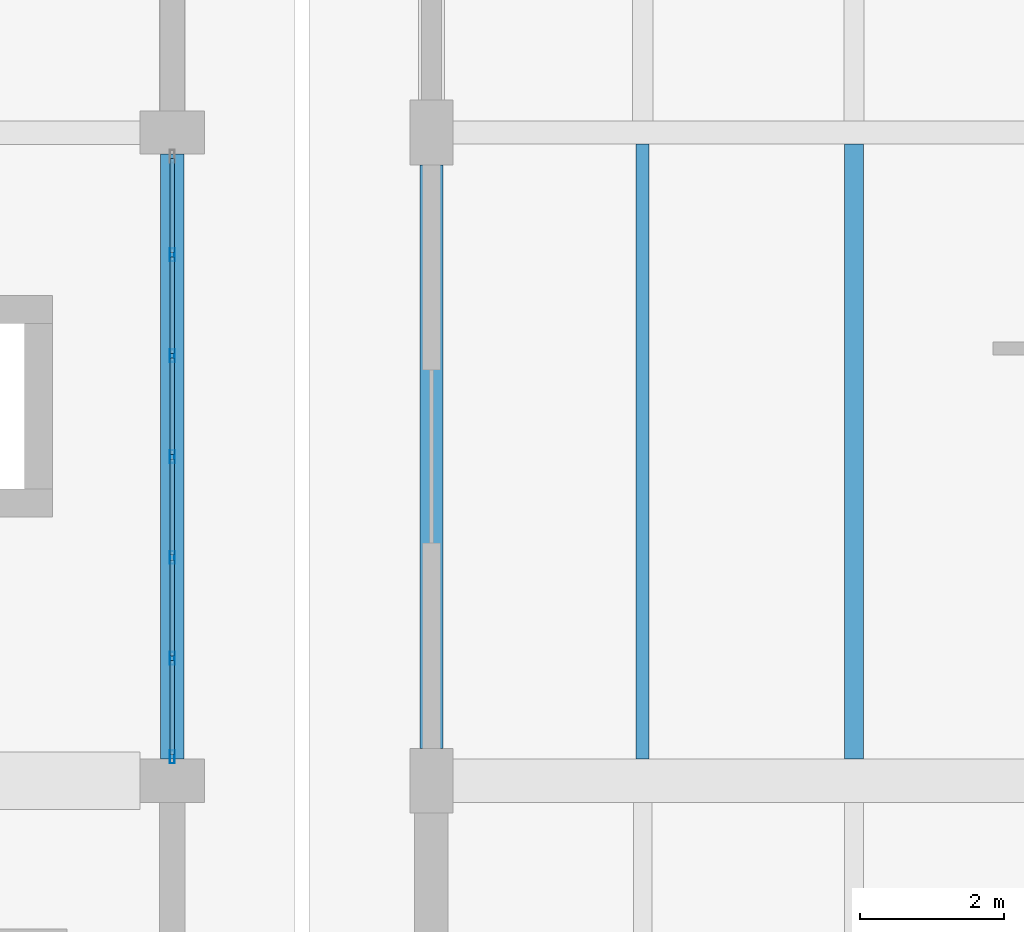
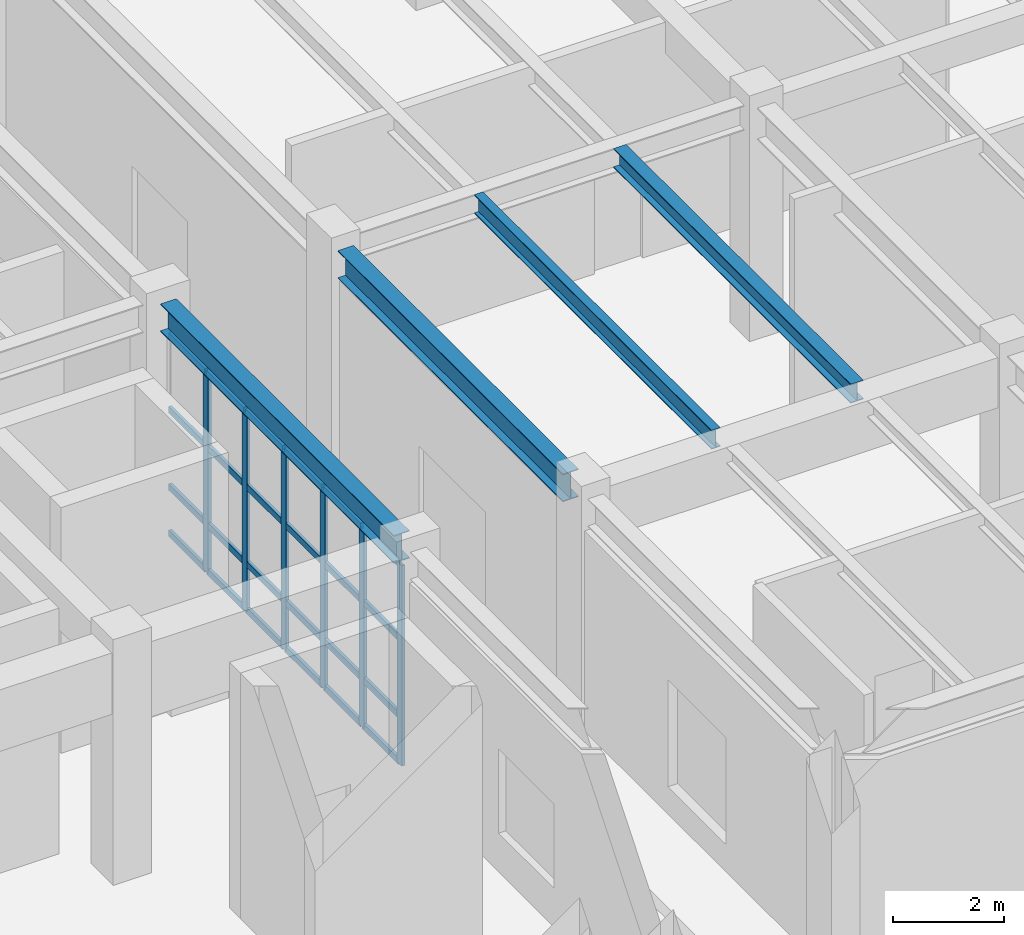
# One storey, part 24 of 91: 30 members, 4 beams, 1 element without a shape of its own.
"""IFC4 building model written with IfcOpenShell, lengths in metres."""

from ifc_helpers import new_model, si_unit, direction, frame, origin, origin_2d, place, context, subcontext, project, spatial, hollow_rectangle, i_section, extrude, material, layer, layer_set, material_profile, profile_set, type_object, element, aggregate, save


model = new_model("IFC4")

# Units and contexts
model_context = context("Model", 3, precision=1e-05, world=origin(), true_north=direction((0.0, 1.0)))
body_context = subcontext(model_context, "Body", "Model", "MODEL_VIEW")
ifc_project = project(units=[si_unit("LENGTHUNIT", "METRE"), si_unit("AREAUNIT", "SQUARE_METRE"), si_unit("VOLUMEUNIT", "CUBIC_METRE"), si_unit("PLANEANGLEUNIT", "RADIAN"), si_unit("MASSUNIT", "GRAM", prefix="KILO")], contexts=[model_context])

# Site, building, storey
site_placement = place(None, origin())
site = spatial("IfcSite", under=ifc_project, at=site_placement, CompositionType="ELEMENT")
building_placement = place(site_placement, origin())
building = spatial("IfcBuilding", under=site, at=building_placement, Name="Vaelkrest Opera House", CompositionType="ELEMENT")
storey_placement = place(building_placement, origin())
storey = spatial("IfcBuildingStorey", under=building, at=storey_placement, Name="L00", CompositionType="ELEMENT", Elevation=0.0)

# Curtain wall, members
ifc_material_1 = material(Name="Dark bronze anodized aluminium", Category="aluminium")
ifc_layer = layer(ifc_material_1, 0.179931640625)
ifc_layer_set = layer_set([ifc_layer], Name="Dark bronze anodized aluminium")
curtain_wall_type = type_object("IfcCurtainWallType", Name="CW01", PredefinedType="NOTDEFINED", material=ifc_layer_set)
curtain_wall_placement = place(storey_placement, origin())
curtain_wall = element("IfcCurtainWall", 1, at=curtain_wall_placement, inside=storey, type_object=curtain_wall_type, Name="Curtain wall CW-L00-018", PredefinedType="NOTDEFINED")
ifc_material_profile_1 = material_profile(ifc_material_1, hollow_rectangle(XDim=0.06494140625, YDim=0.179931640625, WallThickness=0.00390625, at=origin_2d()), Name="CWM65X180")
ifc_profile_set_1 = profile_set([ifc_material_profile_1], Name="Dark bronze anodized aluminium")
member_type_1 = type_object("IfcMemberType", Name="CWM01", PredefinedType="MULLION", material=ifc_profile_set_1)
member_1_placement = place(storey_placement, frame((30.0, -21.498779296875, 0.0), z_axis=(0.0, 0.0, 1.0), x_axis=(1.0, 0.0, 0.0)))
member_1 = element("IfcMember", 2, at=member_1_placement, type_object=member_type_1, Name="CW01 mullion 2", PredefinedType="MULLION", context=body_context, shape_type="SweptSolid", body=[
    extrude(hollow_rectangle(XDim=0.06494140625, YDim=0.179931640625, WallThickness=0.00390625, at=origin_2d()), origin(), (0.0, 0.0, 1.0), 4.404052734375),
])
member_2_placement = place(storey_placement, frame((30.0, -22.8994140625, 0.0), z_axis=(0.0, 0.0, 1.0), x_axis=(1.0, 0.0, 0.0)))
member_2 = element("IfcMember", 3, at=member_2_placement, type_object=member_type_1, Name="CW01 mullion 3", PredefinedType="MULLION", context=body_context, shape_type="SweptSolid", body=[
    extrude(hollow_rectangle(XDim=0.06494140625, YDim=0.179931640625, WallThickness=0.00390625, at=origin_2d()), origin(), (0.0, 0.0, 1.0), 4.404052734375),
])
member_3_placement = place(storey_placement, frame((30.0, -24.300048828125, 0.0), z_axis=(0.0, 0.0, 1.0), x_axis=(1.0, 0.0, 0.0)))
member_3 = element("IfcMember", 4, at=member_3_placement, type_object=member_type_1, Name="CW01 mullion 4", PredefinedType="MULLION", context=body_context, shape_type="SweptSolid", body=[
    extrude(hollow_rectangle(XDim=0.06494140625, YDim=0.179931640625, WallThickness=0.00390625, at=origin_2d()), origin(), (0.0, 0.0, 1.0), 4.404052734375),
])
member_4_placement = place(storey_placement, frame((30.0, -25.70068359375, 0.0), z_axis=(0.0, 0.0, 1.0), x_axis=(1.0, 0.0, 0.0)))
member_4 = element("IfcMember", 5, at=member_4_placement, type_object=member_type_1, Name="CW01 mullion 5", PredefinedType="MULLION", context=body_context, shape_type="SweptSolid", body=[
    extrude(hollow_rectangle(XDim=0.06494140625, YDim=0.179931640625, WallThickness=0.00390625, at=origin_2d()), origin(), (0.0, 0.0, 1.0), 4.404052734375),
])
member_5_placement = place(storey_placement, frame((30.0, -27.101318359375, 0.0), z_axis=(0.0, 0.0, 1.0), x_axis=(1.0, 0.0, 0.0)))
member_5 = element("IfcMember", 6, at=member_5_placement, type_object=member_type_1, Name="CW01 mullion 6", PredefinedType="MULLION", context=body_context, shape_type="SweptSolid", body=[
    extrude(hollow_rectangle(XDim=0.06494140625, YDim=0.179931640625, WallThickness=0.00390625, at=origin_2d()), origin(), (0.0, 0.0, 1.0), 4.404052734375),
])
member_6_placement = place(storey_placement, frame((30.0, -28.469482421875, 0.0), z_axis=(0.0, 0.0, 1.0), x_axis=(1.0, 0.0, 0.0)))
member_6 = element("IfcMember", 7, at=member_6_placement, type_object=member_type_1, Name="CW01 mullion 7", PredefinedType="MULLION", context=body_context, shape_type="SweptSolid", body=[
    extrude(hollow_rectangle(XDim=0.06494140625, YDim=0.179931640625, WallThickness=0.00390625, at=origin_2d()), origin(), (0.0, 0.0, 1.0), 4.404052734375),
])
ifc_material_profile_2 = material_profile(ifc_material_1, hollow_rectangle(XDim=0.06494140625, YDim=0.139892578125, WallThickness=0.00390625, at=origin_2d()), Name="CWT65X140")
ifc_profile_set_2 = profile_set([ifc_material_profile_2], Name="Dark bronze anodized aluminium")
member_type_2 = type_object("IfcMemberType", Name="CWT01", PredefinedType="USERDEFINED", material=ifc_profile_set_2)
member_7_placement = place(storey_placement, frame((30.0, -20.1630859375, 0.032470703125), z_axis=(0.0, -1.0, 0.0), x_axis=(1.0, 0.0, 0.0)))
member_7 = element("IfcMember", 8, at=member_7_placement, type_object=member_type_2, Name="CW01 transom 1.1", ObjectType="TRANSOM", PredefinedType="USERDEFINED", context=body_context, shape_type="SweptSolid", body=[
    extrude(hollow_rectangle(XDim=0.06494140625, YDim=0.139892578125, WallThickness=0.00390625, at=origin_2d()), origin(), (0.0, 0.0, 1.0), 1.302978515625),
])
member_8_placement = place(storey_placement, frame((30.0, -20.1630859375, 1.050048828125), z_axis=(0.0, -1.0, 0.0), x_axis=(1.0, 0.0, 0.0)))
member_8 = element("IfcMember", 9, at=member_8_placement, type_object=member_type_2, Name="CW01 transom 1.2", ObjectType="TRANSOM", PredefinedType="USERDEFINED", context=body_context, shape_type="SweptSolid", body=[
    extrude(hollow_rectangle(XDim=0.06494140625, YDim=0.139892578125, WallThickness=0.00390625, at=origin_2d()), origin(), (0.0, 0.0, 1.0), 1.302978515625),
])
member_9_placement = place(storey_placement, frame((30.0, -20.1630859375, 2.75), z_axis=(0.0, -1.0, 0.0), x_axis=(1.0, 0.0, 0.0)))
member_9 = element("IfcMember", 10, at=member_9_placement, type_object=member_type_2, Name="CW01 transom 1.3", ObjectType="TRANSOM", PredefinedType="USERDEFINED", context=body_context, shape_type="SweptSolid", body=[
    extrude(hollow_rectangle(XDim=0.06494140625, YDim=0.139892578125, WallThickness=0.00390625, at=origin_2d()), origin(), (0.0, 0.0, 1.0), 1.302978515625),
])
member_10_placement = place(storey_placement, frame((30.0, -20.1630859375, 4.37158203125), z_axis=(0.0, -1.0, 0.0), x_axis=(1.0, 0.0, 0.0)))
member_10 = element("IfcMember", 11, at=member_10_placement, type_object=member_type_2, Name="CW01 transom 1.4", ObjectType="TRANSOM", PredefinedType="USERDEFINED", context=body_context, shape_type="SweptSolid", body=[
    extrude(hollow_rectangle(XDim=0.06494140625, YDim=0.139892578125, WallThickness=0.00390625, at=origin_2d()), origin(), (0.0, 0.0, 1.0), 1.302978515625),
])
member_11_placement = place(storey_placement, frame((30.0, -21.53125, 0.032470703125), z_axis=(0.0, -1.0, 0.0), x_axis=(1.0, 0.0, 0.0)))
member_11 = element("IfcMember", 12, at=member_11_placement, type_object=member_type_2, Name="CW01 transom 2.1", ObjectType="TRANSOM", PredefinedType="USERDEFINED", context=body_context, shape_type="SweptSolid", body=[
    extrude(hollow_rectangle(XDim=0.06494140625, YDim=0.139892578125, WallThickness=0.00390625, at=origin_2d()), origin(), (0.0, 0.0, 1.0), 1.335693359375),
])
member_12_placement = place(storey_placement, frame((30.0, -21.53125, 1.050048828125), z_axis=(0.0, -1.0, 0.0), x_axis=(1.0, 0.0, 0.0)))
member_12 = element("IfcMember", 13, at=member_12_placement, type_object=member_type_2, Name="CW01 transom 2.2", ObjectType="TRANSOM", PredefinedType="USERDEFINED", context=body_context, shape_type="SweptSolid", body=[
    extrude(hollow_rectangle(XDim=0.06494140625, YDim=0.139892578125, WallThickness=0.00390625, at=origin_2d()), origin(), (0.0, 0.0, 1.0), 1.335693359375),
])
member_13_placement = place(storey_placement, frame((30.0, -21.53125, 2.75), z_axis=(0.0, -1.0, 0.0), x_axis=(1.0, 0.0, 0.0)))
member_13 = element("IfcMember", 14, at=member_13_placement, type_object=member_type_2, Name="CW01 transom 2.3", ObjectType="TRANSOM", PredefinedType="USERDEFINED", context=body_context, shape_type="SweptSolid", body=[
    extrude(hollow_rectangle(XDim=0.06494140625, YDim=0.139892578125, WallThickness=0.00390625, at=origin_2d()), origin(), (0.0, 0.0, 1.0), 1.335693359375),
])
member_14_placement = place(storey_placement, frame((30.0, -21.53125, 4.37158203125), z_axis=(0.0, -1.0, 0.0), x_axis=(1.0, 0.0, 0.0)))
member_14 = element("IfcMember", 15, at=member_14_placement, type_object=member_type_2, Name="CW01 transom 2.4", ObjectType="TRANSOM", PredefinedType="USERDEFINED", context=body_context, shape_type="SweptSolid", body=[
    extrude(hollow_rectangle(XDim=0.06494140625, YDim=0.139892578125, WallThickness=0.00390625, at=origin_2d()), origin(), (0.0, 0.0, 1.0), 1.335693359375),
])
member_15_placement = place(storey_placement, frame((30.0, -22.931884765625, 0.032470703125), z_axis=(0.0, -1.0, 0.0), x_axis=(1.0, 0.0, 0.0)))
member_15 = element("IfcMember", 16, at=member_15_placement, type_object=member_type_2, Name="CW01 transom 3.1", ObjectType="TRANSOM", PredefinedType="USERDEFINED", context=body_context, shape_type="SweptSolid", body=[
    extrude(hollow_rectangle(XDim=0.06494140625, YDim=0.139892578125, WallThickness=0.00390625, at=origin_2d()), origin(), (0.0, 0.0, 1.0), 1.335693359375),
])
member_16_placement = place(storey_placement, frame((30.0, -22.931884765625, 1.050048828125), z_axis=(0.0, -1.0, 0.0), x_axis=(1.0, 0.0, 0.0)))
member_16 = element("IfcMember", 17, at=member_16_placement, type_object=member_type_2, Name="CW01 transom 3.2", ObjectType="TRANSOM", PredefinedType="USERDEFINED", context=body_context, shape_type="SweptSolid", body=[
    extrude(hollow_rectangle(XDim=0.06494140625, YDim=0.139892578125, WallThickness=0.00390625, at=origin_2d()), origin(), (0.0, 0.0, 1.0), 1.335693359375),
])
member_17_placement = place(storey_placement, frame((30.0, -22.931884765625, 2.75), z_axis=(0.0, -1.0, 0.0), x_axis=(1.0, 0.0, 0.0)))
member_17 = element("IfcMember", 18, at=member_17_placement, type_object=member_type_2, Name="CW01 transom 3.3", ObjectType="TRANSOM", PredefinedType="USERDEFINED", context=body_context, shape_type="SweptSolid", body=[
    extrude(hollow_rectangle(XDim=0.06494140625, YDim=0.139892578125, WallThickness=0.00390625, at=origin_2d()), origin(), (0.0, 0.0, 1.0), 1.335693359375),
])
member_18_placement = place(storey_placement, frame((30.0, -22.931884765625, 4.37158203125), z_axis=(0.0, -1.0, 0.0), x_axis=(1.0, 0.0, 0.0)))
member_18 = element("IfcMember", 19, at=member_18_placement, type_object=member_type_2, Name="CW01 transom 3.4", ObjectType="TRANSOM", PredefinedType="USERDEFINED", context=body_context, shape_type="SweptSolid", body=[
    extrude(hollow_rectangle(XDim=0.06494140625, YDim=0.139892578125, WallThickness=0.00390625, at=origin_2d()), origin(), (0.0, 0.0, 1.0), 1.335693359375),
])
member_19_placement = place(storey_placement, frame((30.0, -24.33251953125, 0.032470703125), z_axis=(0.0, -1.0, 0.0), x_axis=(1.0, 0.0, 0.0)))
member_19 = element("IfcMember", 20, at=member_19_placement, type_object=member_type_2, Name="CW01 transom 4.1", ObjectType="TRANSOM", PredefinedType="USERDEFINED", context=body_context, shape_type="SweptSolid", body=[
    extrude(hollow_rectangle(XDim=0.06494140625, YDim=0.139892578125, WallThickness=0.00390625, at=origin_2d()), origin(), (0.0, 0.0, 1.0), 1.335693359375),
])
member_20_placement = place(storey_placement, frame((30.0, -24.33251953125, 1.050048828125), z_axis=(0.0, -1.0, 0.0), x_axis=(1.0, 0.0, 0.0)))
member_20 = element("IfcMember", 21, at=member_20_placement, type_object=member_type_2, Name="CW01 transom 4.2", ObjectType="TRANSOM", PredefinedType="USERDEFINED", context=body_context, shape_type="SweptSolid", body=[
    extrude(hollow_rectangle(XDim=0.06494140625, YDim=0.139892578125, WallThickness=0.00390625, at=origin_2d()), origin(), (0.0, 0.0, 1.0), 1.335693359375),
])
member_21_placement = place(storey_placement, frame((30.0, -24.33251953125, 2.75), z_axis=(0.0, -1.0, 0.0), x_axis=(1.0, 0.0, 0.0)))
member_21 = element("IfcMember", 22, at=member_21_placement, type_object=member_type_2, Name="CW01 transom 4.3", ObjectType="TRANSOM", PredefinedType="USERDEFINED", context=body_context, shape_type="SweptSolid", body=[
    extrude(hollow_rectangle(XDim=0.06494140625, YDim=0.139892578125, WallThickness=0.00390625, at=origin_2d()), origin(), (0.0, 0.0, 1.0), 1.335693359375),
])
member_22_placement = place(storey_placement, frame((30.0, -24.33251953125, 4.37158203125), z_axis=(0.0, -1.0, 0.0), x_axis=(1.0, 0.0, 0.0)))
member_22 = element("IfcMember", 23, at=member_22_placement, type_object=member_type_2, Name="CW01 transom 4.4", ObjectType="TRANSOM", PredefinedType="USERDEFINED", context=body_context, shape_type="SweptSolid", body=[
    extrude(hollow_rectangle(XDim=0.06494140625, YDim=0.139892578125, WallThickness=0.00390625, at=origin_2d()), origin(), (0.0, 0.0, 1.0), 1.335693359375),
])
member_23_placement = place(storey_placement, frame((30.0, -25.733154296875, 0.032470703125), z_axis=(0.0, -1.0, 0.0), x_axis=(1.0, 0.0, 0.0)))
member_23 = element("IfcMember", 24, at=member_23_placement, type_object=member_type_2, Name="CW01 transom 5.1", ObjectType="TRANSOM", PredefinedType="USERDEFINED", context=body_context, shape_type="SweptSolid", body=[
    extrude(hollow_rectangle(XDim=0.06494140625, YDim=0.139892578125, WallThickness=0.00390625, at=origin_2d()), origin(), (0.0, 0.0, 1.0), 1.335693359375),
])
member_24_placement = place(storey_placement, frame((30.0, -25.733154296875, 1.050048828125), z_axis=(0.0, -1.0, 0.0), x_axis=(1.0, 0.0, 0.0)))
member_24 = element("IfcMember", 25, at=member_24_placement, type_object=member_type_2, Name="CW01 transom 5.2", ObjectType="TRANSOM", PredefinedType="USERDEFINED", context=body_context, shape_type="SweptSolid", body=[
    extrude(hollow_rectangle(XDim=0.06494140625, YDim=0.139892578125, WallThickness=0.00390625, at=origin_2d()), origin(), (0.0, 0.0, 1.0), 1.335693359375),
])
member_25_placement = place(storey_placement, frame((30.0, -25.733154296875, 2.75), z_axis=(0.0, -1.0, 0.0), x_axis=(1.0, 0.0, 0.0)))
member_25 = element("IfcMember", 26, at=member_25_placement, type_object=member_type_2, Name="CW01 transom 5.3", ObjectType="TRANSOM", PredefinedType="USERDEFINED", context=body_context, shape_type="SweptSolid", body=[
    extrude(hollow_rectangle(XDim=0.06494140625, YDim=0.139892578125, WallThickness=0.00390625, at=origin_2d()), origin(), (0.0, 0.0, 1.0), 1.335693359375),
])
member_26_placement = place(storey_placement, frame((30.0, -25.733154296875, 4.37158203125), z_axis=(0.0, -1.0, 0.0), x_axis=(1.0, 0.0, 0.0)))
member_26 = element("IfcMember", 27, at=member_26_placement, type_object=member_type_2, Name="CW01 transom 5.4", ObjectType="TRANSOM", PredefinedType="USERDEFINED", context=body_context, shape_type="SweptSolid", body=[
    extrude(hollow_rectangle(XDim=0.06494140625, YDim=0.139892578125, WallThickness=0.00390625, at=origin_2d()), origin(), (0.0, 0.0, 1.0), 1.335693359375),
])
member_27_placement = place(storey_placement, frame((30.0, -27.1337890625, 0.032470703125), z_axis=(0.0, -1.0, 0.0), x_axis=(1.0, 0.0, 0.0)))
member_27 = element("IfcMember", 28, at=member_27_placement, type_object=member_type_2, Name="CW01 transom 6.1", ObjectType="TRANSOM", PredefinedType="USERDEFINED", context=body_context, shape_type="SweptSolid", body=[
    extrude(hollow_rectangle(XDim=0.06494140625, YDim=0.139892578125, WallThickness=0.00390625, at=origin_2d()), origin(), (0.0, 0.0, 1.0), 1.30322265625),
])
member_28_placement = place(storey_placement, frame((30.0, -27.1337890625, 1.050048828125), z_axis=(0.0, -1.0, 0.0), x_axis=(1.0, 0.0, 0.0)))
member_28 = element("IfcMember", 29, at=member_28_placement, type_object=member_type_2, Name="CW01 transom 6.2", ObjectType="TRANSOM", PredefinedType="USERDEFINED", context=body_context, shape_type="SweptSolid", body=[
    extrude(hollow_rectangle(XDim=0.06494140625, YDim=0.139892578125, WallThickness=0.00390625, at=origin_2d()), origin(), (0.0, 0.0, 1.0), 1.30322265625),
])
member_29_placement = place(storey_placement, frame((30.0, -27.1337890625, 2.75), z_axis=(0.0, -1.0, 0.0), x_axis=(1.0, 0.0, 0.0)))
member_29 = element("IfcMember", 30, at=member_29_placement, type_object=member_type_2, Name="CW01 transom 6.3", ObjectType="TRANSOM", PredefinedType="USERDEFINED", context=body_context, shape_type="SweptSolid", body=[
    extrude(hollow_rectangle(XDim=0.06494140625, YDim=0.139892578125, WallThickness=0.00390625, at=origin_2d()), origin(), (0.0, 0.0, 1.0), 1.30322265625),
])
member_30_placement = place(storey_placement, frame((30.0, -27.1337890625, 4.37158203125), z_axis=(0.0, -1.0, 0.0), x_axis=(1.0, 0.0, 0.0)))
member_30 = element("IfcMember", 31, at=member_30_placement, type_object=member_type_2, Name="CW01 transom 6.4", ObjectType="TRANSOM", PredefinedType="USERDEFINED", context=body_context, shape_type="SweptSolid", body=[
    extrude(hollow_rectangle(XDim=0.06494140625, YDim=0.139892578125, WallThickness=0.00390625, at=origin_2d()), origin(), (0.0, 0.0, 1.0), 1.30322265625),
])
aggregate(curtain_wall, [member_1, member_2, member_3, member_4, member_5, member_6, member_7, member_8, member_9, member_10, member_11, member_12, member_13, member_14, member_15, member_16, member_17, member_18, member_19, member_20, member_21, member_22, member_23, member_24, member_25, member_26, member_27, member_28, member_29, member_30])

# Beams
ifc_material_2 = material(Name="Steel A992 Gr50", Category="steel")
ifc_material_profile_3 = material_profile(ifc_material_2, i_section(OverallWidth=0.180908203125, OverallDepth=0.4169921875, WebThickness=0.010986328125, FlangeThickness=0.018310546875, at=origin_2d()), Name="W16X57")
ifc_profile_set_3 = profile_set([ifc_material_profile_3], Name="Steel A992 Gr50")
beam_type_1 = type_object("IfcBeamType", Name="J07", PredefinedType="JOIST", material=ifc_profile_set_3)
beam_1_placement = place(storey_placement, frame((36.532958984375, -28.5, 4.87158203125), z_axis=(0.0, 1.0, 0.0), x_axis=(-1.0, 0.0, 0.0)))
element("IfcBeam", 32, at=beam_1_placement, inside=storey, type_object=beam_type_1, Name="Floor joist JST-V4-L00-2047", PredefinedType="JOIST", context=body_context, shape_type="SweptSolid", body=[
    extrude(i_section(OverallWidth=0.180908203125, OverallDepth=0.4169921875, WebThickness=0.010986328125, FlangeThickness=0.018310546875, at=origin_2d()), origin(), (0.0, 0.0, 1.0), 8.54248046875),
])
ifc_material_profile_4 = material_profile(ifc_material_2, i_section(OverallWidth=0.261962890625, OverallDepth=0.4189453125, WebThickness=0.01171875, FlangeThickness=0.019287109375, at=origin_2d()), Name="W16X77")
ifc_profile_set_4 = profile_set([ifc_material_profile_4], Name="Steel A992 Gr50")
beam_type_2 = type_object("IfcBeamType", Name="J08", PredefinedType="JOIST", material=ifc_profile_set_4)
beam_2_placement = place(storey_placement, frame((39.467041015625, -28.5, 4.87060546875), z_axis=(0.0, 1.0, 0.0), x_axis=(-1.0, 0.0, 0.0)))
element("IfcBeam", 33, at=beam_2_placement, inside=storey, type_object=beam_type_2, Name="Floor joist JST-V4-L00-2048", PredefinedType="JOIST", context=body_context, shape_type="SweptSolid", body=[
    extrude(i_section(OverallWidth=0.261962890625, OverallDepth=0.4189453125, WebThickness=0.01171875, FlangeThickness=0.019287109375, at=origin_2d()), origin(), (0.0, 0.0, 1.0), 8.54248046875),
])
ifc_material_profile_5 = material_profile(ifc_material_2, i_section(OverallWidth=0.323974609375, OverallDepth=0.611083984375, WebThickness=0.0126953125, FlangeThickness=0.01904296875, at=origin_2d()), Name="W24X104")
ifc_profile_set_5 = profile_set([ifc_material_profile_5], Name="Steel A992 Gr50")
beam_type_3 = type_object("IfcBeamType", Name="SP01", PredefinedType="SPANDREL", material=ifc_profile_set_5)
beam_3_placement = place(storey_placement, frame((30.0, -28.5, 4.7744140625), z_axis=(0.0, 1.0, 0.0), x_axis=(-1.0, 0.0, 0.0)))
element("IfcBeam", 34, at=beam_3_placement, inside=storey, type_object=beam_type_3, Name="Beam BM-V1-L00-0184", PredefinedType="SPANDREL", context=body_context, shape_type="SweptSolid", body=[
    extrude(i_section(OverallWidth=0.323974609375, OverallDepth=0.611083984375, WebThickness=0.0126953125, FlangeThickness=0.01904296875, at=origin_2d()), origin(), (0.0, 0.0, 1.0), 8.39990234375),
])
beam_4_placement = place(storey_placement, frame((33.60009765625, -28.35009765625, 4.7744140625), z_axis=(0.0, 1.0, 0.0), x_axis=(-1.0, 0.0, 0.0)))
element("IfcBeam", 35, at=beam_4_placement, inside=storey, type_object=beam_type_3, Name="Beam BM-V4-L00-1994", PredefinedType="SPANDREL", context=body_context, shape_type="SweptSolid", body=[
    extrude(i_section(OverallWidth=0.323974609375, OverallDepth=0.611083984375, WebThickness=0.0126953125, FlangeThickness=0.01904296875, at=origin_2d()), origin(), (0.0, 0.0, 1.0), 8.10009765625),
])

save(model, "model.ifc")
